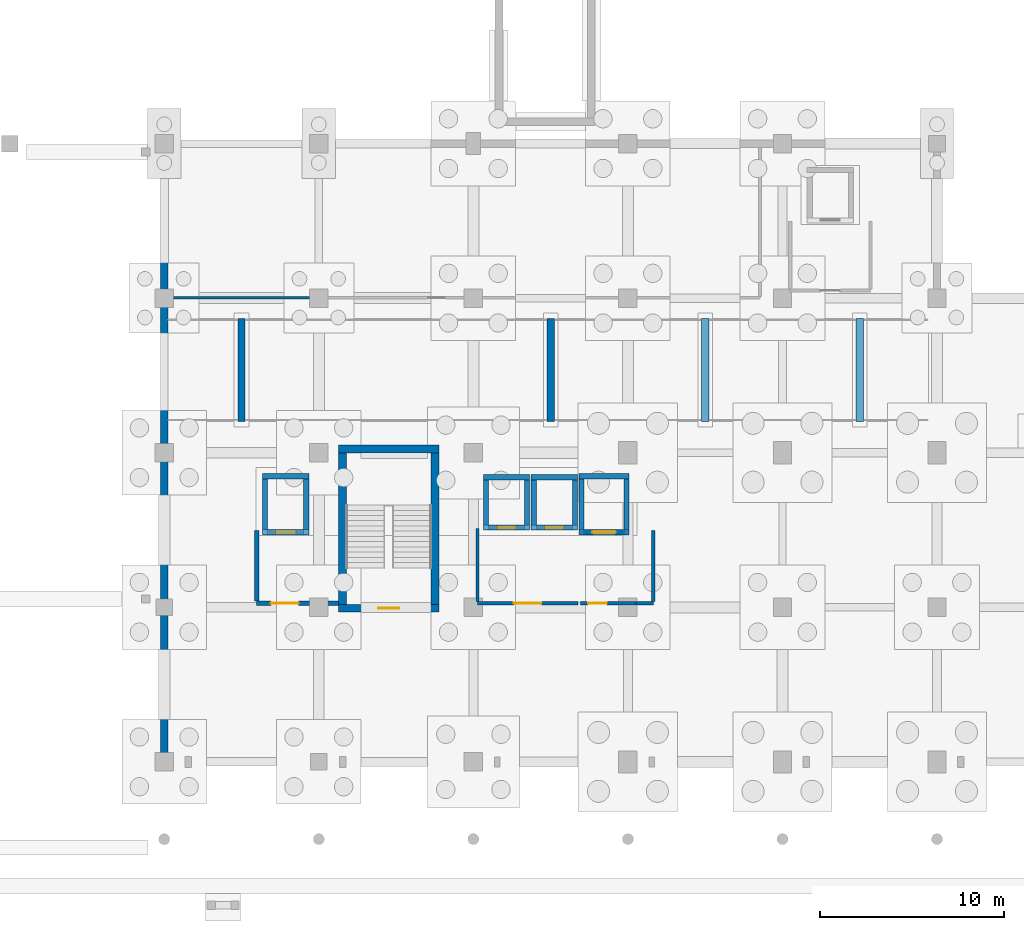
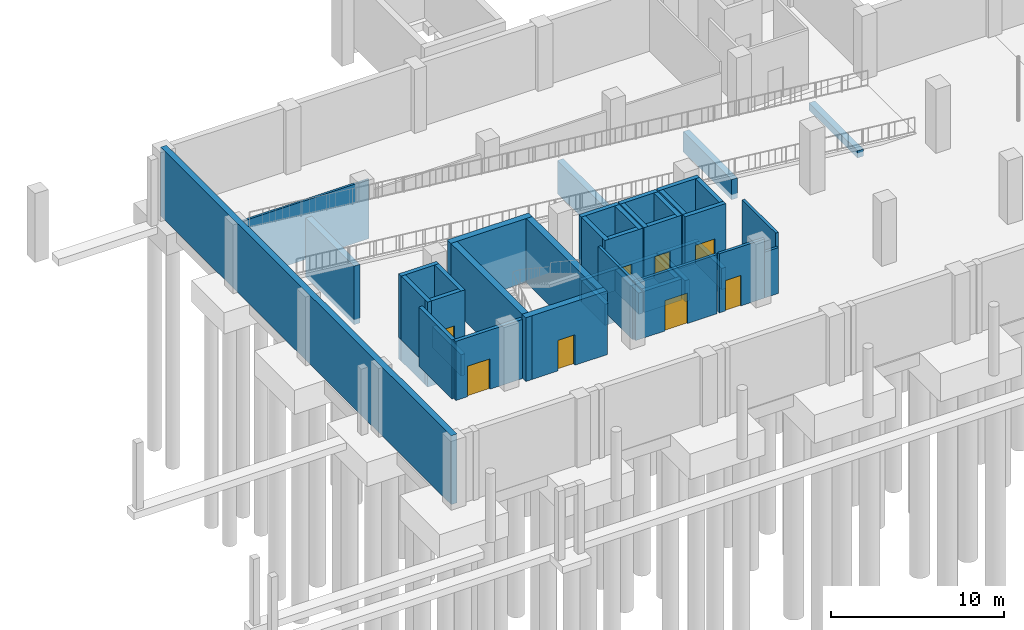
# One storey, part 29 of 39: 49 walls, 8 doors, 8 openings.
"""IFC4 building model written with IfcOpenShell, lengths in metres."""

from ifc_helpers import new_model, si_unit, derived_unit, direction, frame, frame_2d, origin, place, context, subcontext, project, spatial, rectangle, extrude, material, layer, layer_set, type_object, element, fill, save


model = new_model("IFC4")

# Units and contexts
model_context = context("Model", 3, precision=1e-05, world=origin(), true_north=direction((0.0, 1.0)))
body_context = subcontext(model_context, "Body", "Model", "MODEL_VIEW")
ifc_project = project(units=[si_unit("LENGTHUNIT", "METRE"), si_unit("AREAUNIT", "SQUARE_METRE"), si_unit("VOLUMEUNIT", "CUBIC_METRE"), si_unit("PLANEANGLEUNIT", "RADIAN"), si_unit("MASSUNIT", "GRAM", prefix="KILO"), derived_unit("THERMALTRANSMITTANCEUNIT", [(si_unit("POWERUNIT", "WATT"), 1), (si_unit("LENGTHUNIT", "METRE"), -2), (si_unit("THERMODYNAMICTEMPERATUREUNIT", "KELVIN"), -1)])], contexts=[model_context])

# Site, building, storey
site_placement = place(None, origin())
site = spatial("IfcSite", under=ifc_project, at=site_placement, CompositionType="ELEMENT")
building_placement = place(site_placement, origin())
building = spatial("IfcBuilding", under=site, at=building_placement, Name="Barrovel Congress Hotel", CompositionType="ELEMENT")
storey_placement = place(building_placement, frame((0.0, 0.0, -4.5)))
storey = spatial("IfcBuildingStorey", under=building, at=storey_placement, Name="B01", CompositionType="ELEMENT", Elevation=-4.5)

# Wall
ifc_material_1 = material(Name="Concrete C40", Category="concrete")
ifc_layer_1 = layer(ifc_material_1, 0.39990234375)
ifc_layer_set_1 = layer_set([ifc_layer_1], Name="Concrete C40")
wall_type_1 = type_object("IfcWallType", Name="EW-RET400", PredefinedType="STANDARD", material=ifc_layer_set_1)
wall_1_placement = place(storey_placement, frame((16.800048828125, 37.800048828125, -0.360107421875), z_axis=(0.0, 0.0, 1.0), x_axis=(0.0, -1.0, 0.0)))
element("IfcWall", 1, at=wall_1_placement, inside=storey, type_object=wall_type_1, Name="EW:B01:RET-08", PredefinedType="STANDARD", context=body_context, shape_type="SweptSolid", body=[
    extrude(rectangle(XDim=33.60009765625, YDim=0.39990234375, at=frame_2d((16.800048828125, 0.0))), origin(), (0.0, 0.0, 1.0), 4.860107421875),
])

# Wall, opening, door
ifc_material_2 = material(Name="Gypsum Acoustic Stud", Category="gypsum")
ifc_layer_2 = layer(ifc_material_2, 0.179931640625)
ifc_layer_set_2 = layer_set([ifc_layer_2], Name="Gypsum Acoustic Stud")
wall_type_2 = type_object("IfcWallType", Name="PW-ACU-180", PredefinedType="PARTITIONING", material=ifc_layer_set_2)
wall_2_placement = place(storey_placement, frame((33.820068359375, 12.820068359375, 0.0), z_axis=(0.0, 0.0, 1.0), x_axis=(1.0, 0.0, 0.0)))
wall_2 = element("IfcWall", 2, at=wall_2_placement, inside=storey, type_object=wall_type_2, Name="RW:SP:B01:LL-C1:S", PredefinedType="PARTITIONING", context=body_context, shape_type="SweptSolid", body=[
    extrude(rectangle(XDim=5.4599609375, YDim=0.179931640625, at=frame_2d((2.72998046875, 0.0))), origin(), (0.0, 0.0, 1.0), 4.175048828125),
])
opening_1_placement = place(wall_2_placement, frame((1.97998046875, 0.0, 0.0)))
opening_1 = element("IfcOpeningElement", 3, at=opening_1_placement, cuts=wall_2, Name="Opening ID-FFL", PredefinedType="OPENING", context=body_context, shape_type="SweptSolid", body=[
    extrude(rectangle(XDim=1.5, YDim=2.14990234375, at=frame_2d((0.75, 1.074951171875))), frame((0.0, 0.10009765625, 0.0), z_axis=(0.0, -1.0, 0.0), x_axis=(1.0, 0.0, 0.0)), (0.0, 0.0, 1.0), 0.199951171875),
])
ifc_material_3 = material(Name="Painted Hollow-Metal Steel Door", Category="steel")
door_type_1 = type_object("IfcDoorType", Name="IDR-ID-FFL", OperationType="NOTDEFINED", PredefinedType="DOOR", material=ifc_material_3)
door_1_placement = place(opening_1_placement, origin())
door_1 = element("IfcDoor", 4, at=door_1_placement, inside=storey, type_object=door_type_1, Name="RD:SP:B01:LL-C1", OperationType="DOUBLE_DOOR_SINGLE_SWING", OverallHeight=2.14990234375, OverallWidth=1.5, PredefinedType="DOOR", context=body_context, shape_type="SweptSolid", body=[
    extrude(rectangle(XDim=1.5, YDim=2.14990234375, at=frame_2d((0.75, 1.074951171875))), frame((0.0, 0.02490234375, 0.0), z_axis=(0.0, -1.0, 0.0), x_axis=(1.0, 0.0, 0.0)), (0.0, 0.0, 1.0), 0.050048828125),
])
fill(opening_1, door_1)

# Wall
wall_3_placement = place(storey_placement, frame((33.820068359375, 12.909912109375, 0.0), z_axis=(0.0, 0.0, 1.0), x_axis=(0.0, 1.0, 0.0)))
element("IfcWall", 5, at=wall_3_placement, inside=storey, type_object=wall_type_2, Name="RW:SP:B01:LL-C1:W", PredefinedType="PARTITIONING", context=body_context, shape_type="SweptSolid", body=[
    extrude(rectangle(XDim=3.969970703125, YDim=0.179931640625, at=frame_2d((1.98486328125, 0.0))), origin(), (0.0, 0.0, 1.0), 4.175048828125),
])

# Wall, opening, door
wall_4_placement = place(storey_placement, frame((39.419921875, 12.820068359375, 0.0), z_axis=(0.0, 0.0, 1.0), x_axis=(1.0, 0.0, 0.0)))
wall_4 = element("IfcWall", 6, at=wall_4_placement, inside=storey, type_object=wall_type_2, Name="RW:SP:B01:LL-SL1:S", PredefinedType="PARTITIONING", context=body_context, shape_type="SweptSolid", body=[
    extrude(rectangle(XDim=3.030029296875, YDim=0.179931640625, at=frame_2d((1.51513671875, 0.0))), origin(), (0.0, 0.0, 1.0), 4.175048828125),
])
opening_2_placement = place(wall_4_placement, frame((0.419921875, 0.0, 0.0)))
opening_2 = element("IfcOpeningElement", 7, at=opening_2_placement, cuts=wall_4, Name="Opening ID-ACC", PredefinedType="OPENING", context=body_context, shape_type="SweptSolid", body=[
    extrude(rectangle(XDim=1.02001953125, YDim=2.14990234375, at=frame_2d((0.510009765625, 1.074951171875))), frame((0.0, 0.10009765625, 0.0), z_axis=(0.0, -1.0, 0.0), x_axis=(1.0, 0.0, 0.0)), (0.0, 0.0, 1.0), 0.199951171875),
])
ifc_material_4 = material(Name="Solid Oak Acoustic Timber Door", Category="wood")
door_type_2 = type_object("IfcDoorType", Name="IDR-ID-ACC", OperationType="NOTDEFINED", PredefinedType="DOOR", material=ifc_material_4)
door_2_placement = place(opening_2_placement, origin())
door_2 = element("IfcDoor", 8, at=door_2_placement, inside=storey, type_object=door_type_2, Name="RD:SP:B01:LL-SL1", OperationType="SINGLE_SWING_RIGHT", OverallHeight=2.14990234375, OverallWidth=1.02001953125, PredefinedType="DOOR", context=body_context, shape_type="SweptSolid", body=[
    extrude(rectangle(XDim=1.02001953125, YDim=2.14990234375, at=frame_2d((0.510009765625, 1.074951171875))), frame((0.0, 0.02490234375, 0.0), z_axis=(0.0, -1.0, 0.0), x_axis=(1.0, 0.0, 0.0)), (0.0, 0.0, 1.0), 0.050048828125),
])
fill(opening_2, door_2)

# Walls
wall_5_placement = place(storey_placement, frame((43.3798828125, 12.909912109375, 0.0), z_axis=(0.0, 0.0, 1.0), x_axis=(0.0, 1.0, 0.0)))
element("IfcWall", 9, at=wall_5_placement, inside=storey, type_object=wall_type_2, Name="RW:SP:B01:LL-SL1:E", PredefinedType="PARTITIONING", context=body_context, shape_type="SweptSolid", body=[
    extrude(rectangle(XDim=3.8701171875, YDim=0.179931640625, at=frame_2d((1.93505859375, 0.0))), origin(), (0.0, 0.0, 1.0), 4.175048828125),
])
wall_6_placement = place(storey_placement, frame((42.449951171875, 12.820068359375, 0.0), z_axis=(0.0, 0.0, 1.0), x_axis=(1.0, 0.0, 0.0)))
element("IfcWall", 10, at=wall_6_placement, inside=storey, type_object=wall_type_2, Name="RW:SP:B01:LL-SL1:S:P02", PredefinedType="PARTITIONING", context=body_context, shape_type="SweptSolid", body=[
    extrude(rectangle(XDim=0.929931640625, YDim=0.179931640625, at=frame_2d((0.46484375, 0.0))), origin(), (0.0, 0.0, 1.0), 3.22998046875),
])

# Wall, opening, door
ifc_material_5 = material(Name="Fired Clay Brick Masonry", Category="masonry")
ifc_layer_3 = layer(ifc_material_5, 0.239990234375)
ifc_layer_set_3 = layer_set([ifc_layer_3], Name="Fired Clay Brick Masonry")
wall_type_3 = type_object("IfcWallType", Name="PW-MAS-240", PredefinedType="PARTITIONING", material=ifc_layer_set_3)
wall_7_placement = place(storey_placement, frame((21.820068359375, 12.820068359375, 0.0), z_axis=(0.0, 0.0, 1.0), x_axis=(1.0, 0.0, 0.0)))
wall_7 = element("IfcWall", 11, at=wall_7_placement, inside=storey, type_object=wall_type_3, Name="RW:SP:B01:FFL-1:S", PredefinedType="PARTITIONING", context=body_context, shape_type="SweptSolid", body=[
    extrude(rectangle(XDim=4.4599609375, YDim=0.239990234375, at=frame_2d((2.22998046875, 0.0))), origin(), (0.0, 0.0, 1.0), 4.175048828125),
])
opening_3_placement = place(wall_7_placement, frame((0.780029296875, 0.0, 0.0)))
opening_3 = element("IfcOpeningElement", 12, at=opening_3_placement, cuts=wall_7, Name="Opening ID-FFL", PredefinedType="OPENING", context=body_context, shape_type="SweptSolid", body=[
    extrude(rectangle(XDim=1.5, YDim=2.14990234375, at=frame_2d((0.75, 1.074951171875))), frame((0.0, 0.1298828125, 0.0), z_axis=(0.0, -1.0, 0.0), x_axis=(1.0, 0.0, 0.0)), (0.0, 0.0, 1.0), 0.260009765625),
])
door_3_placement = place(opening_3_placement, origin())
door_3 = element("IfcDoor", 13, at=door_3_placement, inside=storey, type_object=door_type_1, Name="RD:SP:B01:FFL-1", OperationType="DOUBLE_DOOR_SINGLE_SWING", OverallHeight=2.14990234375, OverallWidth=1.5, PredefinedType="DOOR", context=body_context, shape_type="SweptSolid", body=[
    extrude(rectangle(XDim=1.5, YDim=2.14990234375, at=frame_2d((0.75, 1.074951171875))), frame((0.0, 0.02490234375, 0.0), z_axis=(0.0, -1.0, 0.0), x_axis=(1.0, 0.0, 0.0)), (0.0, 0.0, 1.0), 0.050048828125),
])
fill(opening_3, door_3)

# Walls
wall_8_placement = place(storey_placement, frame((21.820068359375, 12.93994140625, 0.0), z_axis=(0.0, 0.0, 1.0), x_axis=(0.0, 1.0, 0.0)))
element("IfcWall", 14, at=wall_8_placement, inside=storey, type_object=wall_type_3, Name="RW:SP:B01:FFL-1:W", PredefinedType="PARTITIONING", context=body_context, shape_type="SweptSolid", body=[
    extrude(rectangle(XDim=3.840087890625, YDim=0.239990234375, at=frame_2d((1.919921875, 0.0))), origin(), (0.0, 0.0, 1.0), 4.175048828125),
])
ifc_material_6 = material(Name="Gypsum Moisture Board", Category="gypsum")
ifc_layer_4 = layer(ifc_material_6, 0.139892578125)
ifc_layer_set_4 = layer_set([ifc_layer_4], Name="Gypsum Moisture Board")
wall_type_4 = type_object("IfcWallType", Name="PW-WET-140", PredefinedType="PARTITIONING", material=ifc_layer_set_4)
wall_9_placement = place(storey_placement, frame((16.820068359375, 29.419921875, 0.0), z_axis=(0.0, 0.0, 1.0), x_axis=(1.0, 0.0, 0.0)))
element("IfcWall", 15, at=wall_9_placement, inside=storey, type_object=wall_type_4, Name="RW:SP:B01:STAFF:S:P01", PredefinedType="PARTITIONING", context=body_context, shape_type="SweptSolid", body=[
    extrude(rectangle(XDim=8.829833984375, YDim=0.139892578125, at=frame_2d((4.4150390625, 0.0))), origin(), (0.0, 0.0, 1.0), 4.175048828125),
])
ifc_layer_5 = layer(ifc_material_1, 0.280029296875)
ifc_layer_set_5 = layer_set([ifc_layer_5], Name="Concrete C40")
wall_type_5 = type_object("IfcWallType", Name="SW-C40-280", PredefinedType="SHEAR", material=ifc_layer_set_5)
wall_10_placement = place(storey_placement, frame((22.139892578125, 16.679931640625, -1.5), z_axis=(0.0, 0.0, 1.0), x_axis=(1.0, 0.0, 0.0)))
element("IfcWall", 16, at=wall_10_placement, inside=storey, type_object=wall_type_5, Name="LSH:FL-1:PIT:S", PredefinedType="SHEAR", context=body_context, shape_type="SweptSolid", body=[
    extrude(rectangle(XDim=2.52001953125, YDim=0.280029296875, at=frame_2d((1.260009765625, 0.0))), origin(), (0.0, 0.0, 1.0), 1.5),
])
wall_11_placement = place(storey_placement, frame((24.52001953125, 16.5400390625, -1.5), z_axis=(0.0, 0.0, 1.0), x_axis=(0.0, 1.0, 0.0)))
element("IfcWall", 17, at=wall_11_placement, inside=storey, type_object=wall_type_5, Name="LSH:FL-1:PIT:E", PredefinedType="SHEAR", context=body_context, shape_type="SweptSolid", body=[
    extrude(rectangle(XDim=3.320068359375, YDim=0.280029296875, at=frame_2d((1.66015625, 0.0))), origin(), (0.0, 0.0, 1.0), 1.5),
])
wall_12_placement = place(storey_placement, frame((24.659912109375, 19.719970703125, -1.5), z_axis=(0.0, 0.0, 1.0), x_axis=(-1.0, 0.0, 0.0)))
element("IfcWall", 18, at=wall_12_placement, inside=storey, type_object=wall_type_5, Name="LSH:FL-1:PIT:N", PredefinedType="SHEAR", context=body_context, shape_type="SweptSolid", body=[
    extrude(rectangle(XDim=2.52001953125, YDim=0.280029296875, at=frame_2d((1.260009765625, 0.0))), origin(), (0.0, 0.0, 1.0), 1.5),
])
wall_13_placement = place(storey_placement, frame((22.280029296875, 19.860107421875, -1.5), z_axis=(0.0, 0.0, 1.0), x_axis=(0.0, -1.0, 0.0)))
element("IfcWall", 19, at=wall_13_placement, inside=storey, type_object=wall_type_5, Name="LSH:FL-1:PIT:W", PredefinedType="SHEAR", context=body_context, shape_type="SweptSolid", body=[
    extrude(rectangle(XDim=3.320068359375, YDim=0.280029296875, at=frame_2d((1.66015625, 0.0))), origin(), (0.0, 0.0, 1.0), 1.5),
])

# Wall, opening, door
wall_14_placement = place(storey_placement, frame((22.139892578125, 16.679931640625, 0.0), z_axis=(0.0, 0.0, 1.0), x_axis=(1.0, 0.0, 0.0)))
wall_14 = element("IfcWall", 20, at=wall_14_placement, inside=storey, type_object=wall_type_5, Name="LSH:FL-1:B01:S", PredefinedType="SHEAR", context=body_context, shape_type="SweptSolid", body=[
    extrude(rectangle(XDim=2.52001953125, YDim=0.280029296875, at=frame_2d((1.260009765625, 0.0))), origin(), (0.0, 0.0, 1.0), 4.5),
])
opening_4_placement = place(wall_14_placement, frame((0.7099609375, 0.0, 0.0)))
opening_4 = element("IfcOpeningElement", 21, at=opening_4_placement, cuts=wall_14, Name="Opening LD-FF", PredefinedType="OPENING", context=body_context, shape_type="SweptSolid", body=[
    extrude(rectangle(XDim=1.10009765625, YDim=2.199951171875, at=frame_2d((0.550048828125, 1.10009765625))), frame((0.0, 0.14990234375, 0.0), z_axis=(0.0, -1.0, 0.0), x_axis=(1.0, 0.0, 0.0)), (0.0, 0.0, 1.0), 0.300048828125),
])
ifc_material_7 = material(Name="Brushed Stainless Steel", Category="steel")
door_type_3 = type_object("IfcDoorType", Name="IDR-LD-FF", OperationType="NOTDEFINED", PredefinedType="DOOR", material=ifc_material_7)
door_4_placement = place(opening_4_placement, origin())
door_4 = element("IfcDoor", 22, at=door_4_placement, inside=storey, type_object=door_type_3, Name="Lift Landing Door LD-FL-1-B01", OperationType="SLIDING_TO_LEFT", OverallHeight=2.199951171875, OverallWidth=1.10009765625, PredefinedType="DOOR", context=body_context, shape_type="SweptSolid", body=[
    extrude(rectangle(XDim=1.10009765625, YDim=2.199951171875, at=frame_2d((0.550048828125, 1.10009765625))), frame((0.0, 0.02490234375, 0.0), z_axis=(0.0, -1.0, 0.0), x_axis=(1.0, 0.0, 0.0)), (0.0, 0.0, 1.0), 0.050048828125),
])
fill(opening_4, door_4)

# Walls
wall_15_placement = place(storey_placement, frame((24.52001953125, 16.5400390625, 0.0), z_axis=(0.0, 0.0, 1.0), x_axis=(0.0, 1.0, 0.0)))
element("IfcWall", 23, at=wall_15_placement, inside=storey, type_object=wall_type_5, Name="LSH:FL-1:B01:E", PredefinedType="SHEAR", context=body_context, shape_type="SweptSolid", body=[
    extrude(rectangle(XDim=3.320068359375, YDim=0.280029296875, at=frame_2d((1.66015625, 0.0))), origin(), (0.0, 0.0, 1.0), 4.5),
])
wall_16_placement = place(storey_placement, frame((24.659912109375, 19.719970703125, 0.0), z_axis=(0.0, 0.0, 1.0), x_axis=(-1.0, 0.0, 0.0)))
element("IfcWall", 24, at=wall_16_placement, inside=storey, type_object=wall_type_5, Name="LSH:FL-1:B01:N", PredefinedType="SHEAR", context=body_context, shape_type="SweptSolid", body=[
    extrude(rectangle(XDim=2.52001953125, YDim=0.280029296875, at=frame_2d((1.260009765625, 0.0))), origin(), (0.0, 0.0, 1.0), 4.5),
])
wall_17_placement = place(storey_placement, frame((22.280029296875, 19.860107421875, 0.0), z_axis=(0.0, 0.0, 1.0), x_axis=(0.0, -1.0, 0.0)))
element("IfcWall", 25, at=wall_17_placement, inside=storey, type_object=wall_type_5, Name="LSH:FL-1:B01:W", PredefinedType="SHEAR", context=body_context, shape_type="SweptSolid", body=[
    extrude(rectangle(XDim=3.320068359375, YDim=0.280029296875, at=frame_2d((1.66015625, 0.0))), origin(), (0.0, 0.0, 1.0), 4.5),
])
wall_18_placement = place(storey_placement, frame((34.139892578125, 16.929931640625, -1.5), z_axis=(0.0, 0.0, 1.0), x_axis=(1.0, 0.0, 0.0)))
element("IfcWall", 26, at=wall_18_placement, inside=storey, type_object=wall_type_5, Name="LSH:PL-1:PIT:S", PredefinedType="SHEAR", context=body_context, shape_type="SweptSolid", body=[
    extrude(rectangle(XDim=2.52001953125, YDim=0.280029296875, at=frame_2d((1.260009765625, 0.0))), origin(), (0.0, 0.0, 1.0), 1.5),
])
wall_19_placement = place(storey_placement, frame((36.52001953125, 16.7900390625, -1.5), z_axis=(0.0, 0.0, 1.0), x_axis=(0.0, 1.0, 0.0)))
element("IfcWall", 27, at=wall_19_placement, inside=storey, type_object=wall_type_5, Name="LSH:PL-1:PIT:E", PredefinedType="SHEAR", context=body_context, shape_type="SweptSolid", body=[
    extrude(rectangle(XDim=3.02001953125, YDim=0.280029296875, at=frame_2d((1.510009765625, 0.0))), origin(), (0.0, 0.0, 1.0), 1.5),
])
wall_20_placement = place(storey_placement, frame((36.659912109375, 19.669921875, -1.5), z_axis=(0.0, 0.0, 1.0), x_axis=(-1.0, 0.0, 0.0)))
element("IfcWall", 28, at=wall_20_placement, inside=storey, type_object=wall_type_5, Name="LSH:PL-1:PIT:N", PredefinedType="SHEAR", context=body_context, shape_type="SweptSolid", body=[
    extrude(rectangle(XDim=2.52001953125, YDim=0.280029296875, at=frame_2d((1.260009765625, 0.0))), origin(), (0.0, 0.0, 1.0), 1.5),
])
wall_21_placement = place(storey_placement, frame((34.280029296875, 19.81005859375, -1.5), z_axis=(0.0, 0.0, 1.0), x_axis=(0.0, -1.0, 0.0)))
element("IfcWall", 29, at=wall_21_placement, inside=storey, type_object=wall_type_5, Name="LSH:PL-1:PIT:W", PredefinedType="SHEAR", context=body_context, shape_type="SweptSolid", body=[
    extrude(rectangle(XDim=3.02001953125, YDim=0.280029296875, at=frame_2d((1.510009765625, 0.0))), origin(), (0.0, 0.0, 1.0), 1.5),
])

# Wall, opening, door
wall_22_placement = place(storey_placement, frame((34.139892578125, 16.929931640625, 0.0), z_axis=(0.0, 0.0, 1.0), x_axis=(1.0, 0.0, 0.0)))
wall_22 = element("IfcWall", 30, at=wall_22_placement, inside=storey, type_object=wall_type_5, Name="LSH:PL-1:B01:S", PredefinedType="SHEAR", context=body_context, shape_type="SweptSolid", body=[
    extrude(rectangle(XDim=2.52001953125, YDim=0.280029296875, at=frame_2d((1.260009765625, 0.0))), origin(), (0.0, 0.0, 1.0), 4.5),
])
opening_5_placement = place(wall_22_placement, frame((0.735107421875, 0.0, 0.0)))
opening_5 = element("IfcOpeningElement", 31, at=opening_5_placement, cuts=wall_22, Name="Opening LD-PAX", PredefinedType="OPENING", context=body_context, shape_type="SweptSolid", body=[
    extrude(rectangle(XDim=1.050048828125, YDim=2.199951171875, at=frame_2d((0.52490234375, 1.10009765625))), frame((0.0, 0.14990234375, 0.0), z_axis=(0.0, -1.0, 0.0), x_axis=(1.0, 0.0, 0.0)), (0.0, 0.0, 1.0), 0.300048828125),
])
door_type_4 = type_object("IfcDoorType", Name="IDR-LD-PAX", OperationType="NOTDEFINED", PredefinedType="DOOR", material=ifc_material_7)
door_5_placement = place(opening_5_placement, origin())
door_5 = element("IfcDoor", 32, at=door_5_placement, inside=storey, type_object=door_type_4, Name="Lift Landing Door LD-PL-1-B01", OperationType="SLIDING_TO_LEFT", OverallHeight=2.199951171875, OverallWidth=1.050048828125, PredefinedType="DOOR", context=body_context, shape_type="SweptSolid", body=[
    extrude(rectangle(XDim=1.050048828125, YDim=2.199951171875, at=frame_2d((0.52490234375, 1.10009765625))), frame((0.0, 0.02490234375, 0.0), z_axis=(0.0, -1.0, 0.0), x_axis=(1.0, 0.0, 0.0)), (0.0, 0.0, 1.0), 0.050048828125),
])
fill(opening_5, door_5)

# Walls
wall_23_placement = place(storey_placement, frame((36.52001953125, 16.7900390625, 0.0), z_axis=(0.0, 0.0, 1.0), x_axis=(0.0, 1.0, 0.0)))
element("IfcWall", 33, at=wall_23_placement, inside=storey, type_object=wall_type_5, Name="LSH:PL-1:B01:E", PredefinedType="SHEAR", context=body_context, shape_type="SweptSolid", body=[
    extrude(rectangle(XDim=3.02001953125, YDim=0.280029296875, at=frame_2d((1.510009765625, 0.0))), origin(), (0.0, 0.0, 1.0), 4.5),
])
wall_24_placement = place(storey_placement, frame((36.659912109375, 19.669921875, 0.0), z_axis=(0.0, 0.0, 1.0), x_axis=(-1.0, 0.0, 0.0)))
element("IfcWall", 34, at=wall_24_placement, inside=storey, type_object=wall_type_5, Name="LSH:PL-1:B01:N", PredefinedType="SHEAR", context=body_context, shape_type="SweptSolid", body=[
    extrude(rectangle(XDim=2.52001953125, YDim=0.280029296875, at=frame_2d((1.260009765625, 0.0))), origin(), (0.0, 0.0, 1.0), 4.5),
])
wall_25_placement = place(storey_placement, frame((34.280029296875, 19.81005859375, 0.0), z_axis=(0.0, 0.0, 1.0), x_axis=(0.0, -1.0, 0.0)))
element("IfcWall", 35, at=wall_25_placement, inside=storey, type_object=wall_type_5, Name="LSH:PL-1:B01:W", PredefinedType="SHEAR", context=body_context, shape_type="SweptSolid", body=[
    extrude(rectangle(XDim=3.02001953125, YDim=0.280029296875, at=frame_2d((1.510009765625, 0.0))), origin(), (0.0, 0.0, 1.0), 4.5),
])
wall_26_placement = place(storey_placement, frame((36.739990234375, 16.929931640625, -1.5), z_axis=(0.0, 0.0, 1.0), x_axis=(1.0, 0.0, 0.0)))
element("IfcWall", 36, at=wall_26_placement, inside=storey, type_object=wall_type_5, Name="LSH:PL-2:PIT:S", PredefinedType="SHEAR", context=body_context, shape_type="SweptSolid", body=[
    extrude(rectangle(XDim=2.52001953125, YDim=0.280029296875, at=frame_2d((1.260009765625, 0.0))), origin(), (0.0, 0.0, 1.0), 1.5),
])
wall_27_placement = place(storey_placement, frame((39.1201171875, 16.7900390625, -1.5), z_axis=(0.0, 0.0, 1.0), x_axis=(0.0, 1.0, 0.0)))
element("IfcWall", 37, at=wall_27_placement, inside=storey, type_object=wall_type_5, Name="LSH:PL-2:PIT:E", PredefinedType="SHEAR", context=body_context, shape_type="SweptSolid", body=[
    extrude(rectangle(XDim=3.02001953125, YDim=0.280029296875, at=frame_2d((1.510009765625, 0.0))), origin(), (0.0, 0.0, 1.0), 1.5),
])
wall_28_placement = place(storey_placement, frame((39.260009765625, 19.669921875, -1.5), z_axis=(0.0, 0.0, 1.0), x_axis=(-1.0, 0.0, 0.0)))
element("IfcWall", 38, at=wall_28_placement, inside=storey, type_object=wall_type_5, Name="LSH:PL-2:PIT:N", PredefinedType="SHEAR", context=body_context, shape_type="SweptSolid", body=[
    extrude(rectangle(XDim=2.52001953125, YDim=0.280029296875, at=frame_2d((1.260009765625, 0.0))), origin(), (0.0, 0.0, 1.0), 1.5),
])
wall_29_placement = place(storey_placement, frame((36.8798828125, 19.81005859375, -1.5), z_axis=(0.0, 0.0, 1.0), x_axis=(0.0, -1.0, 0.0)))
element("IfcWall", 39, at=wall_29_placement, inside=storey, type_object=wall_type_5, Name="LSH:PL-2:PIT:W", PredefinedType="SHEAR", context=body_context, shape_type="SweptSolid", body=[
    extrude(rectangle(XDim=3.02001953125, YDim=0.280029296875, at=frame_2d((1.510009765625, 0.0))), origin(), (0.0, 0.0, 1.0), 1.5),
])

# Wall, opening, door
wall_30_placement = place(storey_placement, frame((36.739990234375, 16.929931640625, 0.0), z_axis=(0.0, 0.0, 1.0), x_axis=(1.0, 0.0, 0.0)))
wall_30 = element("IfcWall", 40, at=wall_30_placement, inside=storey, type_object=wall_type_5, Name="LSH:PL-2:B01:S", PredefinedType="SHEAR", context=body_context, shape_type="SweptSolid", body=[
    extrude(rectangle(XDim=2.52001953125, YDim=0.280029296875, at=frame_2d((1.260009765625, 0.0))), origin(), (0.0, 0.0, 1.0), 4.5),
])
opening_6_placement = place(wall_30_placement, frame((0.735107421875, 0.0, 0.0)))
opening_6 = element("IfcOpeningElement", 41, at=opening_6_placement, cuts=wall_30, Name="Opening LD-PAX", PredefinedType="OPENING", context=body_context, shape_type="SweptSolid", body=[
    extrude(rectangle(XDim=1.050048828125, YDim=2.199951171875, at=frame_2d((0.52490234375, 1.10009765625))), frame((0.0, 0.14990234375, 0.0), z_axis=(0.0, -1.0, 0.0), x_axis=(1.0, 0.0, 0.0)), (0.0, 0.0, 1.0), 0.300048828125),
])
door_6_placement = place(opening_6_placement, origin())
door_6 = element("IfcDoor", 42, at=door_6_placement, inside=storey, type_object=door_type_4, Name="Lift Landing Door LD-PL-2-B01", OperationType="SLIDING_TO_LEFT", OverallHeight=2.199951171875, OverallWidth=1.050048828125, PredefinedType="DOOR", context=body_context, shape_type="SweptSolid", body=[
    extrude(rectangle(XDim=1.050048828125, YDim=2.199951171875, at=frame_2d((0.52490234375, 1.10009765625))), frame((0.0, 0.02490234375, 0.0), z_axis=(0.0, -1.0, 0.0), x_axis=(1.0, 0.0, 0.0)), (0.0, 0.0, 1.0), 0.050048828125),
])
fill(opening_6, door_6)

# Walls
wall_31_placement = place(storey_placement, frame((39.1201171875, 16.7900390625, 0.0), z_axis=(0.0, 0.0, 1.0), x_axis=(0.0, 1.0, 0.0)))
element("IfcWall", 43, at=wall_31_placement, inside=storey, type_object=wall_type_5, Name="LSH:PL-2:B01:E", PredefinedType="SHEAR", context=body_context, shape_type="SweptSolid", body=[
    extrude(rectangle(XDim=3.02001953125, YDim=0.280029296875, at=frame_2d((1.510009765625, 0.0))), origin(), (0.0, 0.0, 1.0), 4.5),
])
wall_32_placement = place(storey_placement, frame((39.260009765625, 19.669921875, 0.0), z_axis=(0.0, 0.0, 1.0), x_axis=(-1.0, 0.0, 0.0)))
element("IfcWall", 44, at=wall_32_placement, inside=storey, type_object=wall_type_5, Name="LSH:PL-2:B01:N", PredefinedType="SHEAR", context=body_context, shape_type="SweptSolid", body=[
    extrude(rectangle(XDim=2.52001953125, YDim=0.280029296875, at=frame_2d((1.260009765625, 0.0))), origin(), (0.0, 0.0, 1.0), 4.5),
])
wall_33_placement = place(storey_placement, frame((36.8798828125, 19.81005859375, 0.0), z_axis=(0.0, 0.0, 1.0), x_axis=(0.0, -1.0, 0.0)))
element("IfcWall", 45, at=wall_33_placement, inside=storey, type_object=wall_type_5, Name="LSH:PL-2:B01:W", PredefinedType="SHEAR", context=body_context, shape_type="SweptSolid", body=[
    extrude(rectangle(XDim=3.02001953125, YDim=0.280029296875, at=frame_2d((1.510009765625, 0.0))), origin(), (0.0, 0.0, 1.0), 4.5),
])
wall_34_placement = place(storey_placement, frame((39.340087890625, 16.679931640625, -1.5), z_axis=(0.0, 0.0, 1.0), x_axis=(1.0, 0.0, 0.0)))
element("IfcWall", 46, at=wall_34_placement, inside=storey, type_object=wall_type_5, Name="LSH:SL-1:PIT:S", PredefinedType="SHEAR", context=body_context, shape_type="SweptSolid", body=[
    extrude(rectangle(XDim=2.719970703125, YDim=0.280029296875, at=frame_2d((1.35986328125, 0.0))), origin(), (0.0, 0.0, 1.0), 1.5),
])
wall_35_placement = place(storey_placement, frame((41.919921875, 16.5400390625, -1.5), z_axis=(0.0, 0.0, 1.0), x_axis=(0.0, 1.0, 0.0)))
element("IfcWall", 47, at=wall_35_placement, inside=storey, type_object=wall_type_5, Name="LSH:SL-1:PIT:E", PredefinedType="SHEAR", context=body_context, shape_type="SweptSolid", body=[
    extrude(rectangle(XDim=3.320068359375, YDim=0.280029296875, at=frame_2d((1.66015625, 0.0))), origin(), (0.0, 0.0, 1.0), 1.5),
])
wall_36_placement = place(storey_placement, frame((42.06005859375, 19.719970703125, -1.5), z_axis=(0.0, 0.0, 1.0), x_axis=(-1.0, 0.0, 0.0)))
element("IfcWall", 48, at=wall_36_placement, inside=storey, type_object=wall_type_5, Name="LSH:SL-1:PIT:N", PredefinedType="SHEAR", context=body_context, shape_type="SweptSolid", body=[
    extrude(rectangle(XDim=2.719970703125, YDim=0.280029296875, at=frame_2d((1.35986328125, 0.0))), origin(), (0.0, 0.0, 1.0), 1.5),
])
wall_37_placement = place(storey_placement, frame((39.47998046875, 19.860107421875, -1.5), z_axis=(0.0, 0.0, 1.0), x_axis=(0.0, -1.0, 0.0)))
element("IfcWall", 49, at=wall_37_placement, inside=storey, type_object=wall_type_5, Name="LSH:SL-1:PIT:W", PredefinedType="SHEAR", context=body_context, shape_type="SweptSolid", body=[
    extrude(rectangle(XDim=3.320068359375, YDim=0.280029296875, at=frame_2d((1.66015625, 0.0))), origin(), (0.0, 0.0, 1.0), 1.5),
])

# Wall, opening, door
wall_38_placement = place(storey_placement, frame((39.340087890625, 16.679931640625, 0.0), z_axis=(0.0, 0.0, 1.0), x_axis=(1.0, 0.0, 0.0)))
wall_38 = element("IfcWall", 50, at=wall_38_placement, inside=storey, type_object=wall_type_5, Name="LSH:SL-1:B01:S", PredefinedType="SHEAR", context=body_context, shape_type="SweptSolid", body=[
    extrude(rectangle(XDim=2.719970703125, YDim=0.280029296875, at=frame_2d((1.35986328125, 0.0))), origin(), (0.0, 0.0, 1.0), 4.5),
])
opening_7_placement = place(wall_38_placement, frame((0.7099609375, 0.0, 0.0)))
opening_7 = element("IfcOpeningElement", 51, at=opening_7_placement, cuts=wall_38, Name="Opening LD-SRV", PredefinedType="OPENING", context=body_context, shape_type="SweptSolid", body=[
    extrude(rectangle(XDim=1.300048828125, YDim=2.25, at=frame_2d((0.64990234375, 1.125))), frame((0.0, 0.14990234375, 0.0), z_axis=(0.0, -1.0, 0.0), x_axis=(1.0, 0.0, 0.0)), (0.0, 0.0, 1.0), 0.300048828125),
])
door_type_5 = type_object("IfcDoorType", Name="IDR-LD-SRV", OperationType="NOTDEFINED", PredefinedType="DOOR", material=ifc_material_7)
door_7_placement = place(opening_7_placement, origin())
door_7 = element("IfcDoor", 52, at=door_7_placement, inside=storey, type_object=door_type_5, Name="Lift Landing Door LD-SL-1-B01", OperationType="SLIDING_TO_LEFT", OverallHeight=2.25, OverallWidth=1.300048828125, PredefinedType="DOOR", context=body_context, shape_type="SweptSolid", body=[
    extrude(rectangle(XDim=1.300048828125, YDim=2.25, at=frame_2d((0.64990234375, 1.125))), frame((0.0, 0.02490234375, 0.0), z_axis=(0.0, -1.0, 0.0), x_axis=(1.0, 0.0, 0.0)), (0.0, 0.0, 1.0), 0.050048828125),
])
fill(opening_7, door_7)

# Walls
wall_39_placement = place(storey_placement, frame((41.919921875, 16.5400390625, 0.0), z_axis=(0.0, 0.0, 1.0), x_axis=(0.0, 1.0, 0.0)))
element("IfcWall", 53, at=wall_39_placement, inside=storey, type_object=wall_type_5, Name="LSH:SL-1:B01:E", PredefinedType="SHEAR", context=body_context, shape_type="SweptSolid", body=[
    extrude(rectangle(XDim=3.320068359375, YDim=0.280029296875, at=frame_2d((1.66015625, 0.0))), origin(), (0.0, 0.0, 1.0), 4.5),
])
wall_40_placement = place(storey_placement, frame((42.06005859375, 19.719970703125, 0.0), z_axis=(0.0, 0.0, 1.0), x_axis=(-1.0, 0.0, 0.0)))
element("IfcWall", 54, at=wall_40_placement, inside=storey, type_object=wall_type_5, Name="LSH:SL-1:B01:N", PredefinedType="SHEAR", context=body_context, shape_type="SweptSolid", body=[
    extrude(rectangle(XDim=2.719970703125, YDim=0.280029296875, at=frame_2d((1.35986328125, 0.0))), origin(), (0.0, 0.0, 1.0), 4.5),
])
wall_41_placement = place(storey_placement, frame((39.47998046875, 19.860107421875, 0.0), z_axis=(0.0, 0.0, 1.0), x_axis=(0.0, -1.0, 0.0)))
element("IfcWall", 55, at=wall_41_placement, inside=storey, type_object=wall_type_5, Name="LSH:SL-1:B01:W", PredefinedType="SHEAR", context=body_context, shape_type="SweptSolid", body=[
    extrude(rectangle(XDim=3.320068359375, YDim=0.280029296875, at=frame_2d((1.66015625, 0.0))), origin(), (0.0, 0.0, 1.0), 4.5),
])

# Wall, opening, door
ifc_material_8 = material(Name="Concrete C50", Category="concrete")
ifc_layer_6 = layer(ifc_material_8, 0.419921875)
ifc_layer_set_6 = layer_set([ifc_layer_6], Name="Concrete C50")
wall_type_6 = type_object("IfcWallType", Name="SW-C50-420", PredefinedType="SHEAR", material=ifc_layer_set_6)
wall_42_placement = place(storey_placement, frame((26.280029296875, 12.550048828125, 0.0), z_axis=(0.0, 0.0, 1.0), x_axis=(1.0, 0.0, 0.0)))
wall_42 = element("IfcWall", 56, at=wall_42_placement, inside=storey, type_object=wall_type_6, Name="SHW:XS-01:B01:S", PredefinedType="SHEAR", context=body_context, shape_type="SweptSolid", body=[
    extrude(rectangle(XDim=5.43994140625, YDim=0.419921875, at=frame_2d((2.719970703125, 0.0))), origin(), (0.0, 0.0, 1.0), 4.5),
])
opening_8_placement = place(wall_42_placement, frame((2.14501953125, 0.0, 0.0)))
opening_8 = element("IfcOpeningElement", 57, at=opening_8_placement, cuts=wall_42, Name="Opening ID-ST1", PredefinedType="OPENING", context=body_context, shape_type="SweptSolid", body=[
    extrude(rectangle(XDim=1.14990234375, YDim=2.14990234375, at=frame_2d((0.574951171875, 1.074951171875))), frame((0.0, 0.219970703125, 0.0), z_axis=(0.0, -1.0, 0.0), x_axis=(1.0, 0.0, 0.0)), (0.0, 0.0, 1.0), 0.43994140625),
])
door_type_6 = type_object("IfcDoorType", Name="IDR-ID-ST1", OperationType="NOTDEFINED", PredefinedType="DOOR", material=ifc_material_3)
door_8_placement = place(opening_8_placement, origin())
door_8 = element("IfcDoor", 58, at=door_8_placement, inside=storey, type_object=door_type_6, Name="Stair Core Fire Door XS-01-B01", OperationType="SINGLE_SWING_LEFT", OverallHeight=2.14990234375, OverallWidth=1.14990234375, PredefinedType="DOOR", context=body_context, shape_type="SweptSolid", body=[
    extrude(rectangle(XDim=1.14990234375, YDim=2.14990234375, at=frame_2d((0.574951171875, 1.074951171875))), frame((0.0, 0.02490234375, 0.0), z_axis=(0.0, -1.0, 0.0), x_axis=(1.0, 0.0, 0.0)), (0.0, 0.0, 1.0), 0.050048828125),
])
fill(opening_8, door_8)

# Walls
wall_43_placement = place(storey_placement, frame((31.510009765625, 12.340087890625, 0.0), z_axis=(0.0, 0.0, 1.0), x_axis=(0.0, 1.0, 0.0)))
element("IfcWall", 59, at=wall_43_placement, inside=storey, type_object=wall_type_6, Name="SHW:XS-01:B01:E", PredefinedType="SHEAR", context=body_context, shape_type="SweptSolid", body=[
    extrude(rectangle(XDim=9.079833984375, YDim=0.419921875, at=frame_2d((4.5400390625, 0.0))), origin(), (0.0, 0.0, 1.0), 4.5),
])
wall_44_placement = place(storey_placement, frame((31.719970703125, 21.2099609375, 0.0), z_axis=(0.0, 0.0, 1.0), x_axis=(-1.0, 0.0, 0.0)))
element("IfcWall", 60, at=wall_44_placement, inside=storey, type_object=wall_type_6, Name="SHW:XS-01:B01:N", PredefinedType="SHEAR", context=body_context, shape_type="SweptSolid", body=[
    extrude(rectangle(XDim=5.43994140625, YDim=0.419921875, at=frame_2d((2.719970703125, 0.0))), origin(), (0.0, 0.0, 1.0), 4.5),
])
wall_45_placement = place(storey_placement, frame((26.489990234375, 21.419921875, 0.0), z_axis=(0.0, 0.0, 1.0), x_axis=(0.0, -1.0, 0.0)))
element("IfcWall", 61, at=wall_45_placement, inside=storey, type_object=wall_type_6, Name="SHW:XS-01:B01:W", PredefinedType="SHEAR", context=body_context, shape_type="SweptSolid", body=[
    extrude(rectangle(XDim=9.079833984375, YDim=0.419921875, at=frame_2d((4.5400390625, 0.0))), origin(), (0.0, 0.0, 1.0), 4.5),
])
ifc_layer_7 = layer(ifc_material_1, 0.39990234375)
ifc_layer_set_7 = layer_set([ifc_layer_7], Name="Concrete C40")
wall_type_7 = type_object("IfcWallType", Name="SW-FND400", PredefinedType="STANDARD", material=ifc_layer_set_7)
wall_46_placement = place(storey_placement, frame((54.60009765625, 22.699951171875, -0.360107421875), z_axis=(0.0, 0.0, 1.0), x_axis=(0.0, 1.0, 0.0)))
element("IfcWall", 62, at=wall_46_placement, inside=storey, type_object=wall_type_7, Name="RW:R01-SUP:1", PredefinedType="STANDARD", context=body_context, shape_type="SweptSolid", body=[
    extrude(rectangle(XDim=5.60009765625, YDim=0.39990234375, at=frame_2d((2.800048828125, 0.0))), origin(), (0.0, 0.0, 1.0), 0.514892578125),
])
wall_47_placement = place(storey_placement, frame((46.199951171875, 22.699951171875, -0.360107421875), z_axis=(0.0, 0.0, 1.0), x_axis=(0.0, 1.0, 0.0)))
element("IfcWall", 63, at=wall_47_placement, inside=storey, type_object=wall_type_7, Name="RW:R01-SUP:2", PredefinedType="STANDARD", context=body_context, shape_type="SweptSolid", body=[
    extrude(rectangle(XDim=5.60009765625, YDim=0.39990234375, at=frame_2d((2.800048828125, 0.0))), origin(), (0.0, 0.0, 1.0), 1.42138671875),
])
wall_48_placement = place(storey_placement, frame((37.800048828125, 22.699951171875, -0.360107421875), z_axis=(0.0, 0.0, 1.0), x_axis=(0.0, 1.0, 0.0)))
element("IfcWall", 64, at=wall_48_placement, inside=storey, type_object=wall_type_7, Name="RW:R01-SUP:3", PredefinedType="STANDARD", context=body_context, shape_type="SweptSolid", body=[
    extrude(rectangle(XDim=5.60009765625, YDim=0.39990234375, at=frame_2d((2.800048828125, 0.0))), origin(), (0.0, 0.0, 1.0), 2.32763671875),
])
wall_49_placement = place(storey_placement, frame((21.0, 22.699951171875, -0.360107421875), z_axis=(0.0, 0.0, 1.0), x_axis=(0.0, 1.0, 0.0)))
element("IfcWall", 65, at=wall_49_placement, inside=storey, type_object=wall_type_7, Name="RW:R01-SUP:4", PredefinedType="STANDARD", context=body_context, shape_type="SweptSolid", body=[
    extrude(rectangle(XDim=5.60009765625, YDim=0.39990234375, at=frame_2d((2.800048828125, 0.0))), origin(), (0.0, 0.0, 1.0), 4.140625),
])

save(model, "model.ifc")
